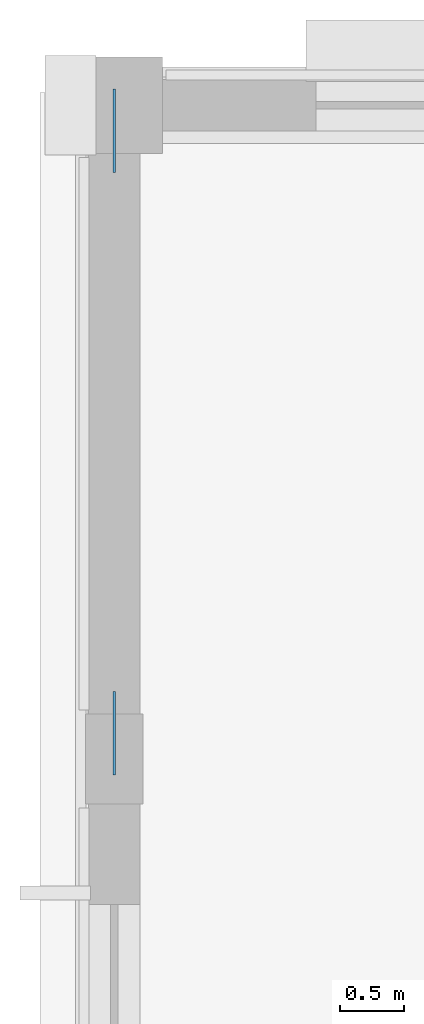
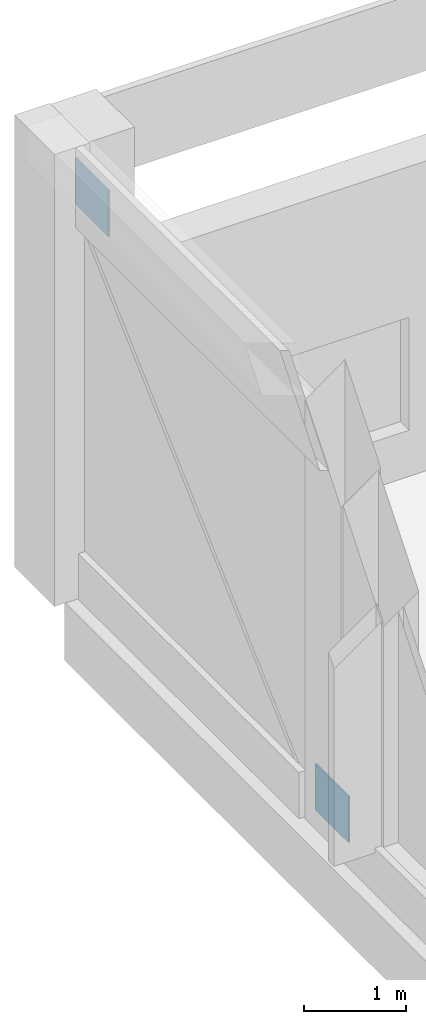
# One storey, part 99 of 137: 2 plates.
"""IFC4 building model written with IfcOpenShell, lengths in metres."""

from ifc_helpers import new_model, si_unit, direction, frame, origin, origin_2d, place, context, subcontext, project, spatial, rectangle, extrude, material, layer, layer_set, type_object, element, save


model = new_model("IFC4")

# Units and contexts
model_context = context("Model", 3, precision=1e-05, world=origin(), true_north=direction((0.0, 1.0)))
body_context = subcontext(model_context, "Body", "Model", "MODEL_VIEW")
ifc_project = project(units=[si_unit("LENGTHUNIT", "METRE"), si_unit("AREAUNIT", "SQUARE_METRE"), si_unit("VOLUMEUNIT", "CUBIC_METRE"), si_unit("PLANEANGLEUNIT", "RADIAN"), si_unit("MASSUNIT", "GRAM", prefix="KILO")], contexts=[model_context])

# Site, building, storey
site_placement = place(None, origin())
site = spatial("IfcSite", under=ifc_project, at=site_placement, CompositionType="ELEMENT")
building_placement = place(site_placement, origin())
building = spatial("IfcBuilding", under=site, at=building_placement, Name="Vondelvale Polytechnic", CompositionType="ELEMENT")
storey_placement = place(building_placement, origin())
storey = spatial("IfcBuildingStorey", under=building, at=storey_placement, Name="L00", CompositionType="ELEMENT", Elevation=0.0)

# Plates
ifc_material = material(Name="Steel Grade 350 (fy = 340 MPa)", Category="steel")
ifc_layer = layer(ifc_material, 0.02001953125)
ifc_layer_set = layer_set([ifc_layer], Name="PLATE-GUSSET-20")
plate_type = type_object("IfcPlateType", Name="PLATE-GUSSET-20", PredefinedType="USERDEFINED", material=ifc_layer_set)
for number, where, z_axis, x_axis, name in (
    (1, (0.0, 117.5, -0.0751953125), (0.0, 0.0, 1.0), (1.0, 0.0, 0.0), "L00 frame brace B knife gusset plate 7"),
    (2, (0.0, 122.199951171875, 4.31494140625), (0.0, 0.0, 1.0), (1.0, 0.0, 0.0), "L00 frame brace T knife gusset plate 7"),
):
    element("IfcPlate", number, at=place(storey_placement, frame(where, z_axis=z_axis, x_axis=x_axis)), inside=storey, type_object=plate_type, Name=name, ObjectType="GUSSET_PLATE", PredefinedType="USERDEFINED", context=body_context, shape_type="SweptSolid", body=[
        extrude(rectangle(XDim=0.02001953125, YDim=0.64990234375, at=origin_2d()), origin(), (0.0, 0.0, 1.0), 0.550048828125),
    ])

save(model, "model.ifc")
